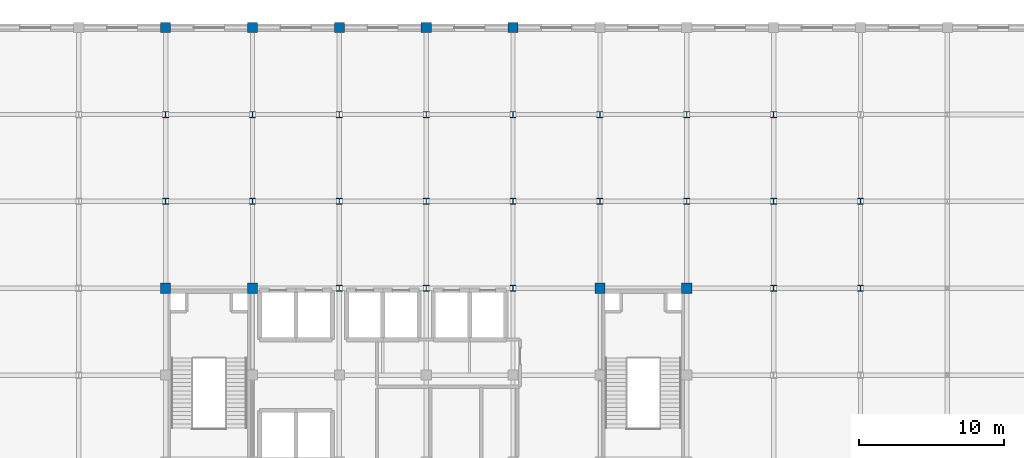
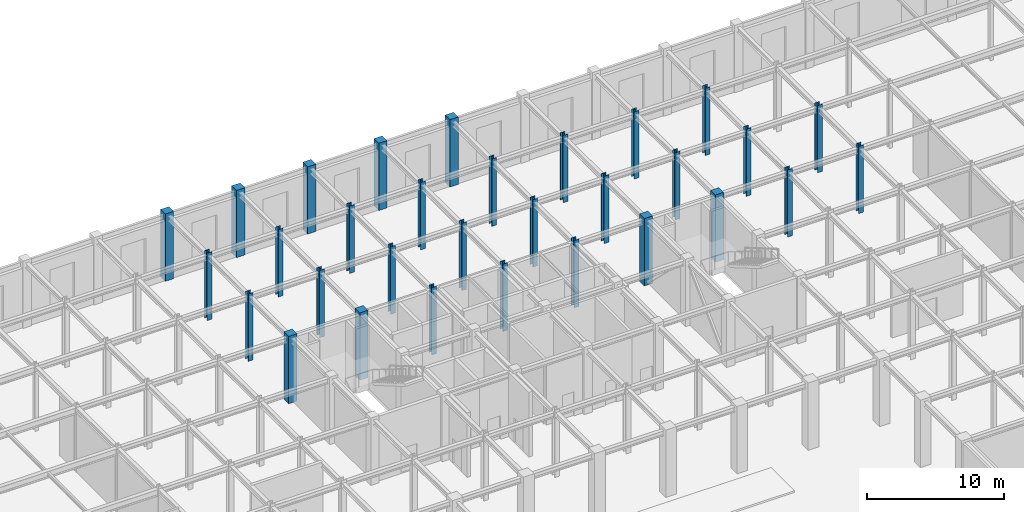
# One storey, part 19 of 108: 31 columns.
"""IFC4 building model written with IfcOpenShell, lengths in metres."""

from ifc_helpers import new_model, si_unit, direction, frame, origin, origin_2d, place, context, subcontext, project, spatial, rectangle, i_section, extrude, material, material_profile, profile_set, type_object, element, save


model = new_model("IFC4")

# Units and contexts
model_context = context("Model", 3, precision=1e-05, world=origin(), true_north=direction((0.0, 1.0)))
body_context = subcontext(model_context, "Body", "Model", "MODEL_VIEW")
ifc_project = project(units=[si_unit("LENGTHUNIT", "METRE"), si_unit("AREAUNIT", "SQUARE_METRE"), si_unit("VOLUMEUNIT", "CUBIC_METRE"), si_unit("PLANEANGLEUNIT", "RADIAN"), si_unit("MASSUNIT", "GRAM", prefix="KILO")], contexts=[model_context])

# Site, building, storey
site_placement = place(None, origin())
site = spatial("IfcSite", under=ifc_project, at=site_placement, CompositionType="ELEMENT")
building_placement = place(site_placement, origin())
building = spatial("IfcBuilding", under=site, at=building_placement, Name="Zlatovratsky Civic Hall", CompositionType="ELEMENT")
storey_placement = place(building_placement, frame((0.0, 0.0, 6.0)))
storey = spatial("IfcBuildingStorey", under=building, at=storey_placement, Name="L02", CompositionType="ELEMENT", Elevation=6.0)

# Columns
ifc_material_1 = material(Name="Concrete C35/45 (B40)", Category="concrete")
ifc_material_profile_1 = material_profile(ifc_material_1, rectangle(XDim=0.699951171875, YDim=0.699951171875, at=origin_2d()), Name="RC 700x700")
ifc_profile_set_1 = profile_set([ifc_material_profile_1], Name="Concrete C35/45 (B40)")
column_type_1 = type_object("IfcColumnType", Name="Col_CorePier_RC700", PredefinedType="COLUMN", material=ifc_profile_set_1)
for number, where, z_axis, x_axis, name in (
    (1, (66.0, 96.0, 0.0), (0.0, 0.0, 1.0), (1.0, 0.0, 0.0), "CL-1105"),
    (2, (72.0, 96.0, 0.0), (0.0, 0.0, 1.0), (1.0, 0.0, 0.0), "CL-1106"),
    (3, (96.0, 96.0, 0.0), (0.0, 0.0, 1.0), (1.0, 0.0, 0.0), "CL-1110"),
    (4, (102.0, 96.0, 0.0), (0.0, 0.0, 1.0), (1.0, 0.0, 0.0), "CL-1111"),
    (5, (66.0, 114.0, 0.0), (0.0, 0.0, 1.0), (1.0, 0.0, 0.0), "CL-1174"),
    (6, (72.0, 114.0, 0.0), (0.0, 0.0, 1.0), (1.0, 0.0, 0.0), "CL-1175"),
    (7, (78.0, 114.0, 0.0), (0.0, 0.0, 1.0), (1.0, 0.0, 0.0), "CL-1176"),
    (8, (84.0, 114.0, 0.0), (0.0, 0.0, 1.0), (1.0, 0.0, 0.0), "CL-1177"),
    (9, (90.0, 114.0, 0.0), (0.0, 0.0, 1.0), (1.0, 0.0, 0.0), "CL-1178"),
):
    element("IfcColumn", number, at=place(storey_placement, frame(where, z_axis=z_axis, x_axis=x_axis)), inside=storey, type_object=column_type_1, Name=name, PredefinedType="COLUMN", context=body_context, shape_type="SweptSolid", body=[
        extrude(rectangle(XDim=0.699951171875, YDim=0.699951171875, at=origin_2d()), origin(), (0.0, 0.0, 1.0), 6.0),
    ])
ifc_material_2 = material(Name="Steel S355", Category="steel")
ifc_material_profile_2 = material_profile(ifc_material_2, i_section(OverallWidth=0.405029296875, OverallDepth=0.41796875, WebThickness=0.02001953125, FlangeThickness=0.030029296875, FilletRadius=0.02197265625, at=origin_2d()), Name="40K4")
ifc_profile_set_2 = profile_set([ifc_material_profile_2], Name="Steel S355")
column_type_2 = type_object("IfcColumnType", Name="Col_Steel_40K4", PredefinedType="COLUMN", material=ifc_profile_set_2)
for number, where, z_axis, x_axis, name in (
    (10, (78.0, 96.0, 0.0), (0.0, 0.0, 1.0), (1.0, 0.0, 0.0), "CL-1107"),
    (11, (84.0, 96.0, 0.0), (0.0, 0.0, 1.0), (1.0, 0.0, 0.0), "CL-1108"),
    (12, (90.0, 96.0, 0.0), (0.0, 0.0, 1.0), (1.0, 0.0, 0.0), "CL-1109"),
    (13, (108.0, 96.0, 0.0), (0.0, 0.0, 1.0), (1.0, 0.0, 0.0), "CL-1112"),
    (14, (114.0, 96.0, 0.0), (0.0, 0.0, 1.0), (1.0, 0.0, 0.0), "CL-1113"),
    (15, (66.0, 102.0, 0.0), (0.0, 0.0, 1.0), (1.0, 0.0, 0.0), "CL-1128"),
    (16, (72.0, 102.0, 0.0), (0.0, 0.0, 1.0), (1.0, 0.0, 0.0), "CL-1129"),
    (17, (78.0, 102.0, 0.0), (0.0, 0.0, 1.0), (1.0, 0.0, 0.0), "CL-1130"),
    (18, (84.0, 102.0, 0.0), (0.0, 0.0, 1.0), (1.0, 0.0, 0.0), "CL-1131"),
    (19, (90.0, 102.0, 0.0), (0.0, 0.0, 1.0), (1.0, 0.0, 0.0), "CL-1132"),
    (20, (96.0, 102.0, 0.0), (0.0, 0.0, 1.0), (1.0, 0.0, 0.0), "CL-1133"),
    (21, (102.0, 102.0, 0.0), (0.0, 0.0, 1.0), (1.0, 0.0, 0.0), "CL-1134"),
    (22, (108.0, 102.0, 0.0), (0.0, 0.0, 1.0), (1.0, 0.0, 0.0), "CL-1135"),
    (23, (114.0, 102.0, 0.0), (0.0, 0.0, 1.0), (1.0, 0.0, 0.0), "CL-1136"),
    (24, (66.0, 108.0, 0.0), (0.0, 0.0, 1.0), (1.0, 0.0, 0.0), "CL-1151"),
    (25, (72.0, 108.0, 0.0), (0.0, 0.0, 1.0), (1.0, 0.0, 0.0), "CL-1152"),
    (26, (78.0, 108.0, 0.0), (0.0, 0.0, 1.0), (1.0, 0.0, 0.0), "CL-1153"),
    (27, (84.0, 108.0, 0.0), (0.0, 0.0, 1.0), (1.0, 0.0, 0.0), "CL-1154"),
    (28, (90.0, 108.0, 0.0), (0.0, 0.0, 1.0), (1.0, 0.0, 0.0), "CL-1155"),
    (29, (96.0, 108.0, 0.0), (0.0, 0.0, 1.0), (1.0, 0.0, 0.0), "CL-1156"),
    (30, (102.0, 108.0, 0.0), (0.0, 0.0, 1.0), (1.0, 0.0, 0.0), "CL-1157"),
    (31, (108.0, 108.0, 0.0), (0.0, 0.0, 1.0), (1.0, 0.0, 0.0), "CL-1158"),
):
    element("IfcColumn", number, at=place(storey_placement, frame(where, z_axis=z_axis, x_axis=x_axis)), inside=storey, type_object=column_type_2, Name=name, PredefinedType="COLUMN", context=body_context, shape_type="SweptSolid", body=[
        extrude(i_section(OverallWidth=0.405029296875, OverallDepth=0.41796875, WebThickness=0.02001953125, FlangeThickness=0.030029296875, FilletRadius=0.02197265625, at=origin_2d()), origin(), (0.0, 0.0, 1.0), 6.0),
    ])

save(model, "model.ifc")
